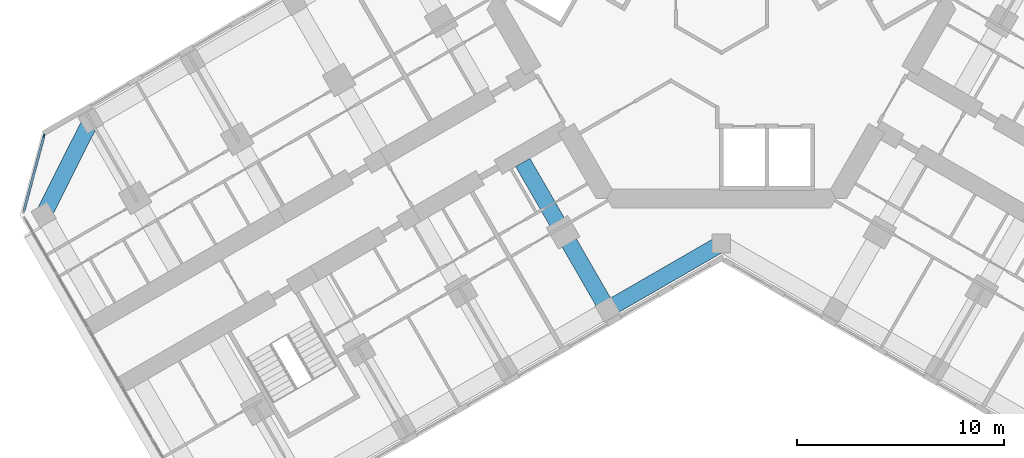
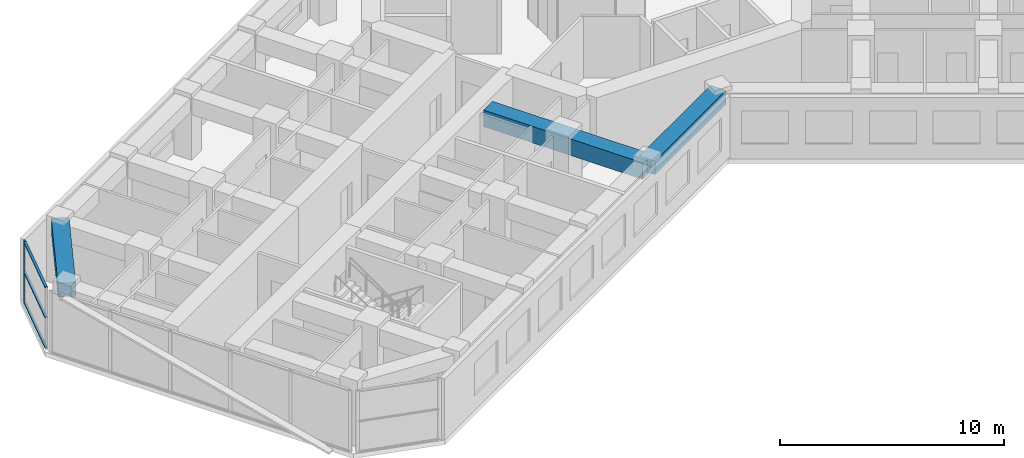
# One storey, part 3 of 19: 4 members, 3 beams, 1 element without a shape of its own.
"""IFC4 building model written with IfcOpenShell, lengths in metres."""

import ifcopenshell
import ifcopenshell.guid

model = None  # the IFC model being written
_history = None  # IfcOwnerHistory: only IFC2X3 demands one
_inside = {}  # id of a spatial element -> (the spatial element, [elements in it])
_under = {}  # id of a project, library or spatial element -> (it, [spatial elements below it])
_declared = {}  # id of a project -> (the project, [libraries it declares])
_typed = {}  # id of a type object -> (the type object, [elements of that type])
_made_of = {}  # id of a material, layer set ... -> (it, [elements and type objects made of it])


def new_model(schema):
    """Start an empty IFC model of exactly this schema.

    Asked for "IFC4X3", IfcOpenShell would pick the latest addendum, in which some entities
    have other attributes; the version numbers below select the first issue.
    IFC2X3 requires an IfcOwnerHistory on every rooted entity: one is made here for all.
    """
    global model, _history
    if schema == "IFC4X3":
        model = ifcopenshell.file(schema_version=(4, 3, 0, 0))
    else:
        model = ifcopenshell.file(schema=schema)
    _inside.clear()
    _under.clear()
    _declared.clear()
    _typed.clear()
    _made_of.clear()
    _history = None
    if model.schema == "IFC2X3":
        org = make("IfcOrganization", Name="unknown")
        user = make(
            "IfcPersonAndOrganization",
            ThePerson=make("IfcPerson", FamilyName="unknown"),
            TheOrganization=org,
        )
        app = make(
            "IfcApplication",
            ApplicationDeveloper=org,
            Version="unknown",
            ApplicationFullName="unknown",
            ApplicationIdentifier="unknown",
        )
        _history = make(
            "IfcOwnerHistory",
            OwningUser=user,
            OwningApplication=app,
            ChangeAction="ADDED",
            CreationDate=0,
        )
    return model


def make(cls, **values):
    """One entity of the class cls with the attributes given. An attribute that is None is left unset."""
    return model.create_entity(
        cls, **{name: value for name, value in values.items() if value is not None}
    )


def rooted(cls, **values):
    """An entity with a GlobalId (a new one), such as an element, a storey or a relation."""
    return make(cls, GlobalId=ifcopenshell.guid.new(), OwnerHistory=_history, **values)


def si_unit(unit_type, name, prefix=None):
    """IfcSIUnit, for example si_unit("LENGTHUNIT", "METRE", prefix="MILLI")."""
    return make("IfcSIUnit", UnitType=unit_type, Prefix=prefix, Name=name)


def assignment(units):
    """IfcUnitAssignment: the units of a project."""
    return None if units is None else make("IfcUnitAssignment", Units=units)


def point(xyz):
    """IfcCartesianPoint."""
    return None if xyz is None else make("IfcCartesianPoint", Coordinates=xyz)


def direction(xyz):
    """IfcDirection."""
    return None if xyz is None else make("IfcDirection", DirectionRatios=xyz)


def frame(location, z_axis=None, x_axis=None):
    """IfcAxis2Placement3D, a coordinate frame: its origin and axes. An axis left out is left unset."""
    return make(
        "IfcAxis2Placement3D",
        Location=point(location),
        Axis=direction(z_axis),
        RefDirection=direction(x_axis),
    )


def frame_2d(location, x_axis=None):
    """IfcAxis2Placement2D, a coordinate frame in the plane: its origin and x axis."""
    return make(
        "IfcAxis2Placement2D", Location=point(location), RefDirection=direction(x_axis)
    )


def origin():
    """The frame at (0, 0, 0) with its axes left unset."""
    return frame((0.0, 0.0, 0.0))


def origin_2d():
    """The frame at (0, 0) in the plane with its x axis left unset."""
    return frame_2d((0.0, 0.0))


def place(relative_to, where):
    """IfcLocalPlacement: puts the frame where relative to a parent placement (None: the world)."""
    return make(
        "IfcLocalPlacement", PlacementRelTo=relative_to, RelativePlacement=where
    )


def context(
    kind, dimensions, precision=None, world=None, true_north=None, identifier=None
):
    """IfcGeometricRepresentationContext, for example the 3D "Model" context."""
    return make(
        "IfcGeometricRepresentationContext",
        ContextIdentifier=identifier,
        ContextType=kind,
        CoordinateSpaceDimension=dimensions,
        Precision=precision,
        WorldCoordinateSystem=world,
        TrueNorth=true_north,
    )


def subcontext(parent, identifier, kind, view, scale=None):
    """IfcGeometricRepresentationSubContext, for example "Body" below "Model"."""
    return make(
        "IfcGeometricRepresentationSubContext",
        ContextIdentifier=identifier,
        ContextType=kind,
        ParentContext=parent,
        TargetScale=scale,
        TargetView=view,
    )


def project(units=None, contexts=None):
    """IfcProject with its units and contexts."""
    return rooted(
        "IfcProject",
        Name="project",
        RepresentationContexts=contexts,
        UnitsInContext=assignment(units),
    )


def spatial(cls, under=None, at=None, **own):
    """A site, building, storey or space (cls), placed at a placement, below another one or the project."""
    s = rooted(cls, ObjectPlacement=at, **own)
    if under is not None:
        _under.setdefault(under.id(), (under, []))[1].append(s)
    return s


def profile(cls, at=None, kind="AREA", **sizes):
    """A parametric profile (cls). Its sizes go by their IFC names, for example OverallWidth=200.0."""
    return make(cls, ProfileType=kind, Position=at, **sizes)


def rectangle(**sizes):
    """IfcRectangleProfileDef."""
    return profile("IfcRectangleProfileDef", **sizes)


def extrude(swept, where, along, depth):
    """IfcExtrudedAreaSolid: the profile swept, set in the frame where, extruded along a direction by depth."""
    return make(
        "IfcExtrudedAreaSolid",
        SweptArea=swept,
        Position=where,
        ExtrudedDirection=direction(along),
        Depth=depth,
    )


def shape(context_of_items, identifier, shape_type, items):
    """IfcShapeRepresentation: the items that make up one representation, for example the "Body"."""
    return make(
        "IfcShapeRepresentation",
        ContextOfItems=context_of_items,
        RepresentationIdentifier=identifier,
        RepresentationType=shape_type,
        Items=items,
    )


def material(Name=None, Category=None):
    """IfcMaterial."""
    return make("IfcMaterial", Name=Name, Category=Category)


def material_profile(
    of_material, cross_section, Name=None, Category=None, Priority=None
):
    """IfcMaterialProfile: a cross section and its material."""
    return make(
        "IfcMaterialProfile",
        Name=Name,
        Material=of_material,
        Profile=cross_section,
        Priority=Priority,
        Category=Category,
    )


def profile_set(profiles, Name=None, composite=None):
    """IfcMaterialProfileSet."""
    return make(
        "IfcMaterialProfileSet",
        Name=Name,
        MaterialProfiles=profiles,
        CompositeProfile=composite,
    )


def made_of(thing, what):
    """Note that an element or type object is made of a material, layer set ...; save() writes the relation."""
    if what is not None:
        _made_of.setdefault(what.id(), (what, []))[1].append(thing)
    return thing


def type_object(cls, material=None, **own):
    """A type object (cls), such as IfcWallType, which elements share."""
    return made_of(rooted(cls, **own), material)


def element(
    cls,
    number,
    at=None,
    inside=None,
    cuts=None,
    type_object=None,
    material=None,
    context=None,
    identifier="Body",
    shape_type=None,
    held_by="IfcProductDefinitionShape",
    body=None,
    shapes=None,
    **own,
):
    """One element of the class cls, such as IfcWall. Its Tag is "e" and its number.

    at: its placement. inside: the storey or other place that contains it. cuts: it is an
    opening in that element (IfcRelVoidsElement). A single representation is given by context,
    identifier, shape_type and body (its items); several are given by shapes. held_by: the class
    of the entity that holds the representations. save() writes the other relations.
    """
    e = rooted(cls, Tag="e%d" % number, ObjectPlacement=at, **own)
    if body is not None:
        shapes = [shape(context, identifier, shape_type, body)]
    if shapes is not None:
        e.Representation = make(held_by, Representations=shapes)
    if inside is not None:
        _inside.setdefault(inside.id(), (inside, []))[1].append(e)
    if cuts is not None:
        rooted(
            "IfcRelVoidsElement", RelatingBuildingElement=cuts, RelatedOpeningElement=e
        )
    if type_object is not None:
        _typed.setdefault(type_object.id(), (type_object, []))[1].append(e)
    return made_of(e, material)


def aggregate(whole, parts):
    """IfcRelAggregates: a whole, such as a stair, and the parts it consists of."""
    return rooted("IfcRelAggregates", RelatingObject=whole, RelatedObjects=parts)


def save(model, path):
    """Write the relations noted so far, then the file.

    IfcRelAggregates (storeys below a building ...), IfcRelContainedInSpatialStructure (elements
    in a storey), IfcRelDefinesByType, IfcRelAssociatesMaterial and IfcRelDeclares: one each for
    every whole, place, type object, material and project.
    """
    for whole, parts in _under.values():
        aggregate(whole, parts)
    for where, things in _inside.values():
        rooted(
            "IfcRelContainedInSpatialStructure",
            RelatedElements=things,
            RelatingStructure=where,
        )
    for kind, things in _typed.values():
        rooted("IfcRelDefinesByType", RelatedObjects=things, RelatingType=kind)
    for what, things in _made_of.values():
        rooted("IfcRelAssociatesMaterial", RelatedObjects=things, RelatingMaterial=what)
    for by, libraries in _declared.values():
        rooted("IfcRelDeclares", RelatingContext=by, RelatedDefinitions=libraries)
    model.write(path)


model = new_model("IFC4")

# Units and contexts
model_context = context("Model", 3, precision=1e-05, world=origin(), true_north=direction((0.0, 1.0)))
body_context = subcontext(model_context, "Body", "Model", "MODEL_VIEW")
ifc_project = project(units=[si_unit("LENGTHUNIT", "METRE"), si_unit("AREAUNIT", "SQUARE_METRE"), si_unit("VOLUMEUNIT", "CUBIC_METRE"), si_unit("PLANEANGLEUNIT", "RADIAN"), si_unit("MASSUNIT", "GRAM", prefix="KILO")], contexts=[model_context])

# Site, building, storey
site_placement = place(None, origin())
site = spatial("IfcSite", under=ifc_project, at=site_placement, CompositionType="ELEMENT")
building_placement = place(site_placement, origin())
building = spatial("IfcBuilding", under=site, at=building_placement, Name="Kosmar Iwan School Tower", CompositionType="ELEMENT")
storey_placement = place(building_placement, frame((0.0, 0.0, 172.39990234375)))
storey = spatial("IfcBuildingStorey", under=building, at=storey_placement, Name="L43", CompositionType="ELEMENT", Elevation=172.39990234375)

# Curtain wall, member
ifc_material_1 = material(Name="Dark glass in black aluminium frame", Category="aluminium")
curtain_wall_type = type_object("IfcCurtainWallType", Name="Chamfer curtain wall dark glass", PredefinedType="USERDEFINED", material=ifc_material_1)
curtain_wall_placement = place(storey_placement, origin())
curtain_wall = element("IfcCurtainWall", 1, at=curtain_wall_placement, inside=storey, type_object=curtain_wall_type, Name="Curtain wall L43-F12", ObjectType="FACETED CURTAIN WALL", PredefinedType="USERDEFINED")
ifc_material_2 = material(Name="Black anodised aluminium", Category="aluminium")
ifc_material_profile_1 = material_profile(ifc_material_2, rectangle(XDim=0.06005859375, YDim=0.159912109375, at=origin_2d()), Name="MULLION 60x160")
ifc_profile_set_1 = profile_set([ifc_material_profile_1], Name="Black anodised aluminium")
member_type_1 = type_object("IfcMemberType", Name="Mullion 60x160", PredefinedType="MULLION", material=ifc_profile_set_1)
member_1_placement = place(storey_placement, frame((-32.78076171875, -6.5732421875, 0.0), z_axis=(0.0, 0.0, 1.0), x_axis=(0.965925875495, -0.258818861462, 0.0)))
member_1 = element("IfcMember", 2, at=member_1_placement, type_object=member_type_1, Name="CW2 mullion 1", PredefinedType="MULLION", context=body_context, shape_type="SweptSolid", body=[
    extrude(rectangle(XDim=0.06005859375, YDim=0.159912109375, at=origin_2d()), origin(), (0.0, 0.0, 1.0), 3.35009765625),
])

# Beams
ifc_material_3 = material(Name="Concrete C50/60", Category="concrete")
ifc_material_profile_2 = material_profile(ifc_material_3, rectangle(XDim=0.800048828125, YDim=0.75, at=origin_2d()), Name="RC 800x750")
ifc_profile_set_2 = profile_set([ifc_material_profile_2], Name="Concrete C50/60")
beam_type_1 = type_object("IfcBeamType", Name="RC edge beam 800x750", PredefinedType="BEAM", material=ifc_profile_set_2)
beam_1_placement = place(storey_placement, frame((0.0, -11.77783203125, 2.97509765625), z_axis=(-0.866014293216, -0.500019243575, 0.0), x_axis=(0.500019243575, -0.866014293216, 0.0)))
element("IfcBeam", 3, at=beam_1_placement, inside=storey, type_object=beam_type_1, Name="Edge beam BL1", PredefinedType="BEAM", context=body_context, shape_type="SweptSolid", body=[
    extrude(rectangle(XDim=0.800048828125, YDim=0.75, at=origin_2d()), origin(), (0.0, 0.0, 1.0), 6.361083984375),
])
ifc_material_4 = material(Name="Concrete C50/60", Category="concrete")
ifc_material_profile_3 = material_profile(ifc_material_4, rectangle(XDim=0.800048828125, YDim=0.75, at=origin_2d()), Name="RC 800x750")
ifc_profile_set_3 = profile_set([ifc_material_profile_3], Name="Concrete C50/60")
beam_type_2 = type_object("IfcBeamType", Name="RC tip beam 800x750", PredefinedType="BEAM", material=ifc_profile_set_3)
beam_2_placement = place(storey_placement, frame((-30.517822265625, -5.841552734375, 2.97509765625), z_axis=(-0.44809604203, -0.893985423325, 0.0), x_axis=(0.893985423325, -0.44809604203, 0.0)))
element("IfcBeam", 4, at=beam_2_placement, inside=storey, type_object=beam_type_2, Name="Tip beam BR", PredefinedType="BEAM", context=body_context, shape_type="SweptSolid", body=[
    extrude(rectangle(XDim=0.800048828125, YDim=0.75, at=origin_2d()), origin(), (0.0, 0.0, 1.0), 5.08935546875),
])
ifc_material_5 = material(Name="Concrete C50/60", Category="concrete")
ifc_material_profile_4 = material_profile(ifc_material_5, rectangle(XDim=0.800048828125, YDim=0.89990234375, at=origin_2d()), Name="RC 800x900")
ifc_profile_set_4 = profile_set([ifc_material_profile_4], Name="Concrete C50/60")
beam_type_3 = type_object("IfcBeamType", Name="RC transverse beam 800x900", PredefinedType="BEAM", material=ifc_profile_set_4)
beam_3_placement = place(storey_placement, frame((-5.5087890625, -14.95849609375, 2.900146484375), z_axis=(-0.500000789788, 0.8660249478, 0.0), x_axis=(-0.8660249478, -0.500000789788, 0.0)))
element("IfcBeam", 5, at=beam_3_placement, inside=storey, type_object=beam_type_3, Name="Transverse beam BL1", PredefinedType="BEAM", context=body_context, shape_type="SweptSolid", body=[
    extrude(rectangle(XDim=0.800048828125, YDim=0.89990234375, at=origin_2d()), origin(), (0.0, 0.0, 1.0), 8.2001953125),
])

# Member
ifc_material_6 = material(Name="Black anodised aluminium", Category="aluminium")
ifc_material_profile_5 = material_profile(ifc_material_6, rectangle(XDim=0.1201171875, YDim=0.06005859375, at=origin_2d()), Name="TRANSOM 60x120")
ifc_profile_set_5 = profile_set([ifc_material_profile_5], Name="Black anodised aluminium")
member_type_2 = type_object("IfcMemberType", Name="Transom 60x120", PredefinedType="USERDEFINED", material=ifc_profile_set_5)
member_2_placement = place(storey_placement, frame((-32.788330078125, -6.602294921875, 0.030029296875), z_axis=(-0.258843273983, -0.965919333854, 0.0), x_axis=(0.965919333854, -0.258843273983, 0.0)))
member_2 = element("IfcMember", 6, at=member_2_placement, type_object=member_type_2, Name="CW2 transom 1.1", ObjectType="TRANSOM", PredefinedType="USERDEFINED", context=body_context, shape_type="SweptSolid", body=[
    extrude(rectangle(XDim=0.1201171875, YDim=0.06005859375, at=origin_2d()), origin(), (0.0, 0.0, 1.0), 3.718994140625),
])

member_3_placement = place(storey_placement, frame((-32.788330078125, -6.602294921875, 1.675048828125), z_axis=(-0.258843273983, -0.965919333854, 0.0), x_axis=(0.965919333854, -0.258843273983, 0.0)))
member_3 = element("IfcMember", 7, at=member_3_placement, type_object=member_type_2, Name="CW2 transom 1.2", ObjectType="TRANSOM", PredefinedType="USERDEFINED", context=body_context, shape_type="SweptSolid", body=[
    extrude(rectangle(XDim=0.1201171875, YDim=0.06005859375, at=origin_2d()), origin(), (0.0, 0.0, 1.0), 3.718994140625),
])

member_4_placement = place(storey_placement, frame((-32.788330078125, -6.602294921875, 3.320068359375), z_axis=(-0.258843273983, -0.965919333854, 0.0), x_axis=(0.965919333854, -0.258843273983, 0.0)))
member_4 = element("IfcMember", 8, at=member_4_placement, type_object=member_type_2, Name="CW2 transom 1.3", ObjectType="TRANSOM", PredefinedType="USERDEFINED", context=body_context, shape_type="SweptSolid", body=[
    extrude(rectangle(XDim=0.1201171875, YDim=0.06005859375, at=origin_2d()), origin(), (0.0, 0.0, 1.0), 3.718994140625),
])

aggregate(curtain_wall, [member_1, member_2, member_3, member_4])

save(model, "model.ifc")
